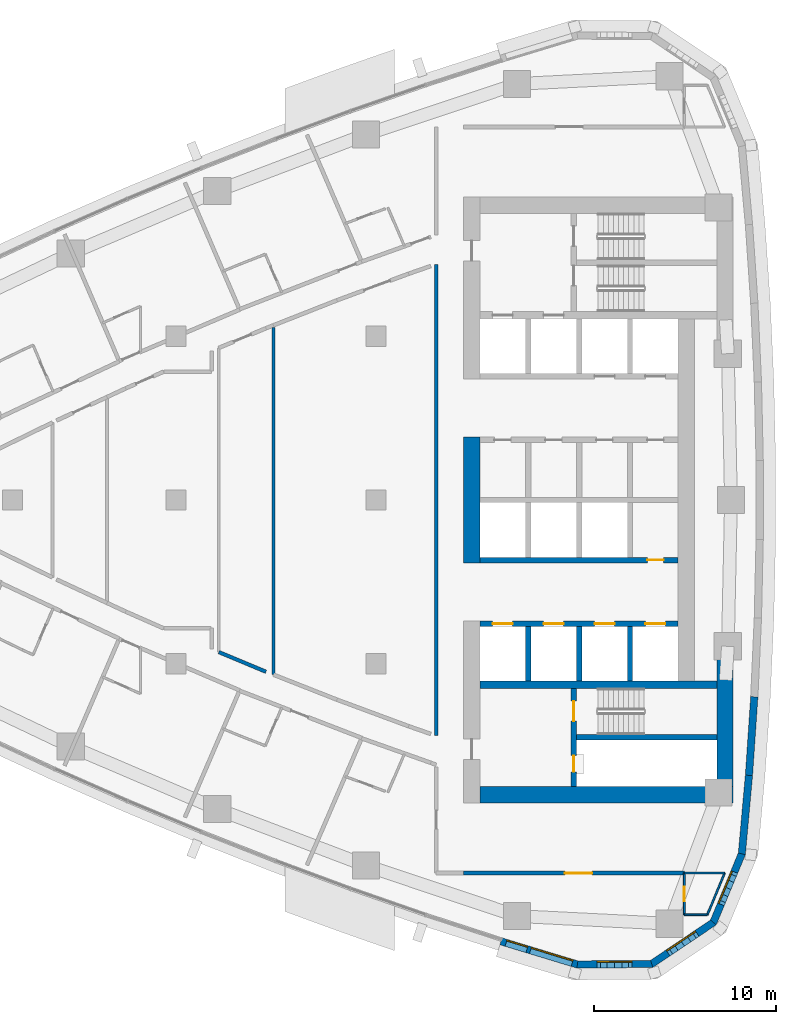
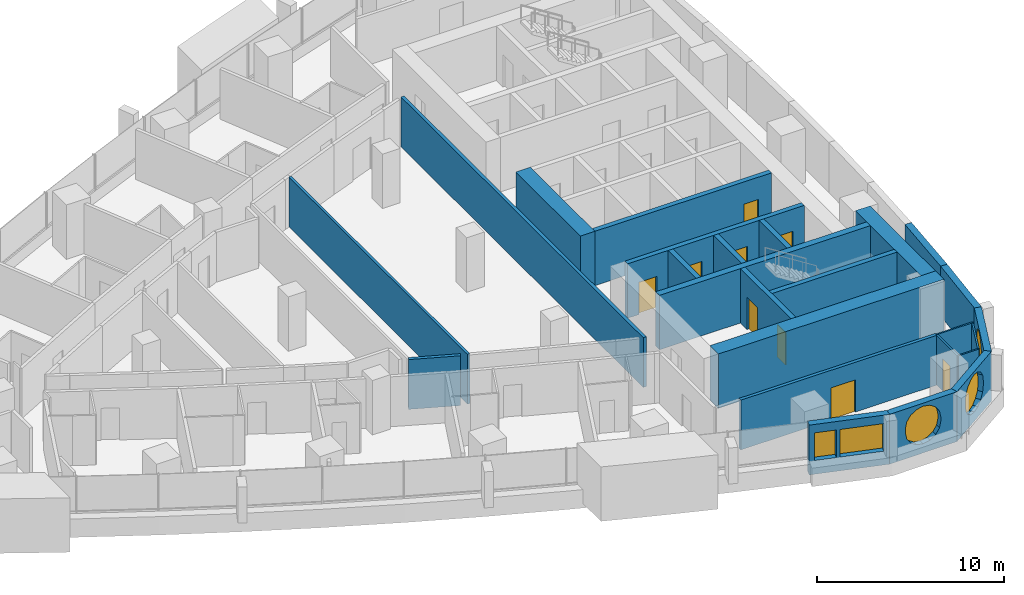
# One storey, part 10 of 17: 25 walls, 9 doors, 5 windows, 14 openings.
"""IFC4 building model written with IfcOpenShell, lengths in metres."""

from ifc_helpers import new_model, si_unit, direction, frame, frame_2d, origin, place, context, subcontext, project, spatial, polyline, rectangle, outline, extrude, material, layer, layer_set, type_object, element, fill, save


model = new_model("IFC4")

# Units and contexts
model_context = context("Model", 3, precision=1e-05, world=origin(), true_north=direction((0.0, 1.0)))
body_context = subcontext(model_context, "Body", "Model", "MODEL_VIEW")
ifc_project = project(units=[si_unit("LENGTHUNIT", "METRE"), si_unit("AREAUNIT", "SQUARE_METRE"), si_unit("VOLUMEUNIT", "CUBIC_METRE"), si_unit("PLANEANGLEUNIT", "RADIAN"), si_unit("MASSUNIT", "GRAM", prefix="KILO")], contexts=[model_context])

# Site, building, storey
site_placement = place(None, origin())
site = spatial("IfcSite", under=ifc_project, at=site_placement, CompositionType="ELEMENT")
building_placement = place(site_placement, origin())
building = spatial("IfcBuilding", under=site, at=building_placement, Name="Ostrand Prow Hotel Tower", CompositionType="ELEMENT")
storey_placement = place(building_placement, frame((0.0, 0.0, 140.85009765625)))
storey = spatial("IfcBuildingStorey", under=building, at=storey_placement, Name="L34", CompositionType="ELEMENT", Elevation=140.85009765625)

# Wall, opening, door
ifc_material_1 = material(Name="Concrete C70/85", Category="concrete")
ifc_layer_1 = layer(ifc_material_1, 0.300048828125)
ifc_layer_set_1 = layer_set([ifc_layer_1], Name="Concrete C70/85")
wall_type_1 = type_object("IfcWallType", Name="Core wall 300 C70/85", PredefinedType="SHEAR", material=ifc_layer_set_1)
wall_1_placement = place(storey_placement, frame((50.699951171875, -3.300048828125, 0.0), z_axis=(0.0, 0.0, 1.0), x_axis=(1.0, 0.0, 0.0)))
wall_1 = element("IfcWall", 1, at=wall_1_placement, inside=storey, type_object=wall_type_1, Name="Core wall PW-L1-S", PredefinedType="SHEAR", context=body_context, shape_type="SweptSolid", body=[
    extrude(rectangle(XDim=10.900146484375, YDim=0.300048828125, at=frame_2d((5.4501953125, 0.0))), origin(), (0.0, 0.0, 1.0), 3.5498046875),
])
opening_1_placement = place(wall_1_placement, frame((9.199951171875, 0.0, 0.0)))
opening_1 = element("IfcOpeningElement", 2, at=opening_1_placement, cuts=wall_1, Name="Opening FD2", PredefinedType="OPENING", context=body_context, shape_type="SweptSolid", body=[
    extrude(rectangle(XDim=0.89990234375, YDim=2.10009765625, at=frame_2d((0.449951171875, 1.050048828125))), frame((0.0, 0.159912109375, 0.0), z_axis=(0.0, -1.0, 0.0), x_axis=(1.0, 0.0, 0.0)), (0.0, 0.0, 1.0), 0.320068359375),
])
ifc_material_2 = material(Name="Steel fire door", Category="steel")
door_type_1 = type_object("IfcDoorType", Name="Fire door 900 EI120", OperationType="SINGLE_SWING_LEFT", PredefinedType="DOOR", material=ifc_material_2)
door_1_placement = place(opening_1_placement, origin())
door_1 = element("IfcDoor", 3, at=door_1_placement, inside=storey, type_object=door_type_1, Name="DOOR", OperationType="SINGLE_SWING_LEFT", OverallHeight=2.10009765625, OverallWidth=0.89990234375, PredefinedType="DOOR", context=body_context, shape_type="SweptSolid", body=[
    extrude(rectangle(XDim=0.89990234375, YDim=2.10009765625, at=frame_2d((0.449951171875, 1.050048828125))), frame((0.0, 0.02490234375, 0.0), z_axis=(0.0, -1.0, 0.0), x_axis=(1.0, 0.0, 0.0)), (0.0, 0.0, 1.0), 0.050048828125),
])
fill(opening_1, door_1)

# Wall, openings, doors
wall_2_placement = place(storey_placement, frame((50.699951171875, -6.800048828125, 0.0), z_axis=(0.0, 0.0, 1.0), x_axis=(1.0, 0.0, 0.0)))
wall_2 = element("IfcWall", 4, at=wall_2_placement, inside=storey, type_object=wall_type_1, Name="Core wall PW-L2-S", PredefinedType="SHEAR", context=body_context, shape_type="SweptSolid", body=[
    extrude(rectangle(XDim=10.900146484375, YDim=0.300048828125, at=frame_2d((5.4501953125, 0.0))), origin(), (0.0, 0.0, 1.0), 3.5498046875),
])
opening_2_placement = place(wall_2_placement, frame((0.699951171875, 0.0, 0.0)))
opening_2 = element("IfcOpeningElement", 5, at=opening_2_placement, cuts=wall_2, Name="Opening LD", PredefinedType="OPENING", context=body_context, shape_type="SweptSolid", body=[
    extrude(rectangle(XDim=1.10009765625, YDim=2.10009765625, at=frame_2d((0.550048828125, 1.050048828125))), frame((0.0, 0.159912109375, 0.0), z_axis=(0.0, -1.0, 0.0), x_axis=(1.0, 0.0, 0.0)), (0.0, 0.0, 1.0), 0.320068359375),
])
opening_3_placement = place(wall_2_placement, frame((3.5, 0.0, 0.0)))
opening_3 = element("IfcOpeningElement", 6, at=opening_3_placement, cuts=wall_2, Name="Opening LD", PredefinedType="OPENING", context=body_context, shape_type="SweptSolid", body=[
    extrude(rectangle(XDim=1.10009765625, YDim=2.10009765625, at=frame_2d((0.550048828125, 1.050048828125))), frame((0.0, 0.159912109375, 0.0), z_axis=(0.0, -1.0, 0.0), x_axis=(1.0, 0.0, 0.0)), (0.0, 0.0, 1.0), 0.320068359375),
])
opening_4_placement = place(wall_2_placement, frame((6.300048828125, 0.0, 0.0)))
opening_4 = element("IfcOpeningElement", 7, at=opening_4_placement, cuts=wall_2, Name="Opening LD", PredefinedType="OPENING", context=body_context, shape_type="SweptSolid", body=[
    extrude(rectangle(XDim=1.10009765625, YDim=2.10009765625, at=frame_2d((0.550048828125, 1.050048828125))), frame((0.0, 0.159912109375, 0.0), z_axis=(0.0, -1.0, 0.0), x_axis=(1.0, 0.0, 0.0)), (0.0, 0.0, 1.0), 0.320068359375),
])
opening_5_placement = place(wall_2_placement, frame((9.10009765625, 0.0, 0.0)))
opening_5 = element("IfcOpeningElement", 8, at=opening_5_placement, cuts=wall_2, Name="Opening LD", PredefinedType="OPENING", context=body_context, shape_type="SweptSolid", body=[
    extrude(rectangle(XDim=1.10009765625, YDim=2.10009765625, at=frame_2d((0.550048828125, 1.050048828125))), frame((0.0, 0.159912109375, 0.0), z_axis=(0.0, -1.0, 0.0), x_axis=(1.0, 0.0, 0.0)), (0.0, 0.0, 1.0), 0.320068359375),
])
ifc_material_3 = material(Name="Stainless steel door", Category="steel")
door_type_2 = type_object("IfcDoorType", Name="Lift landing door 1100", OperationType="DOUBLE_DOOR_SLIDING", PredefinedType="DOOR", material=ifc_material_3)
door_2_placement = place(opening_2_placement, origin())
door_2 = element("IfcDoor", 9, at=door_2_placement, inside=storey, type_object=door_type_2, Name="LIFT LANDING DOOR", OperationType="DOUBLE_DOOR_SLIDING", OverallHeight=2.10009765625, OverallWidth=1.10009765625, PredefinedType="DOOR", context=body_context, shape_type="SweptSolid", body=[
    extrude(rectangle(XDim=1.10009765625, YDim=2.10009765625, at=frame_2d((0.550048828125, 1.050048828125))), frame((0.0, 0.02490234375, 0.0), z_axis=(0.0, -1.0, 0.0), x_axis=(1.0, 0.0, 0.0)), (0.0, 0.0, 1.0), 0.050048828125),
])
fill(opening_2, door_2)
door_3_placement = place(opening_3_placement, origin())
door_3 = element("IfcDoor", 10, at=door_3_placement, inside=storey, type_object=door_type_2, Name="LIFT LANDING DOOR", OperationType="DOUBLE_DOOR_SLIDING", OverallHeight=2.10009765625, OverallWidth=1.10009765625, PredefinedType="DOOR", context=body_context, shape_type="SweptSolid", body=[
    extrude(rectangle(XDim=1.10009765625, YDim=2.10009765625, at=frame_2d((0.550048828125, 1.050048828125))), frame((0.0, 0.02490234375, 0.0), z_axis=(0.0, -1.0, 0.0), x_axis=(1.0, 0.0, 0.0)), (0.0, 0.0, 1.0), 0.050048828125),
])
fill(opening_3, door_3)
door_4_placement = place(opening_4_placement, origin())
door_4 = element("IfcDoor", 11, at=door_4_placement, inside=storey, type_object=door_type_2, Name="LIFT LANDING DOOR", OperationType="DOUBLE_DOOR_SLIDING", OverallHeight=2.10009765625, OverallWidth=1.10009765625, PredefinedType="DOOR", context=body_context, shape_type="SweptSolid", body=[
    extrude(rectangle(XDim=1.10009765625, YDim=2.10009765625, at=frame_2d((0.550048828125, 1.050048828125))), frame((0.0, 0.02490234375, 0.0), z_axis=(0.0, -1.0, 0.0), x_axis=(1.0, 0.0, 0.0)), (0.0, 0.0, 1.0), 0.050048828125),
])
fill(opening_4, door_4)
door_5_placement = place(opening_5_placement, origin())
door_5 = element("IfcDoor", 12, at=door_5_placement, inside=storey, type_object=door_type_2, Name="LIFT LANDING DOOR", OperationType="DOUBLE_DOOR_SLIDING", OverallHeight=2.10009765625, OverallWidth=1.10009765625, PredefinedType="DOOR", context=body_context, shape_type="SweptSolid", body=[
    extrude(rectangle(XDim=1.10009765625, YDim=2.10009765625, at=frame_2d((0.550048828125, 1.050048828125))), frame((0.0, 0.02490234375, 0.0), z_axis=(0.0, -1.0, 0.0), x_axis=(1.0, 0.0, 0.0)), (0.0, 0.0, 1.0), 0.050048828125),
])
fill(opening_5, door_5)

# Walls
for number, where, z_axis, x_axis, name in (
    (13, (53.35009765625, -9.949951171875, 0.0), (0.0, 0.0, 1.0), (0.0, 1.0, 0.0), "Core wall PW-R1-SA"),
    (14, (56.14990234375, -9.949951171875, 0.0), (0.0, 0.0, 1.0), (0.0, 1.0, 0.0), "Core wall PW-R2-SA"),
    (15, (58.949951171875, -9.949951171875, 0.0), (0.0, 0.0, 1.0), (0.0, 1.0, 0.0), "Core wall PW-R3-SA"),
):
    element("IfcWall", number, at=place(storey_placement, frame(where, z_axis=z_axis, x_axis=x_axis)), inside=storey, type_object=wall_type_1, Name=name, PredefinedType="SHEAR", context=body_context, shape_type="SweptSolid", body=[
        extrude(rectangle(XDim=3.0, YDim=0.300048828125, at=frame_2d((1.5, 0.0))), origin(), (0.0, 0.0, 1.0), 3.5498046875),
    ])

# Wall, openings, doors
wall_3_placement = place(storey_placement, frame((55.85009765625, -15.75, 0.0), z_axis=(0.0, 0.0, 1.0), x_axis=(0.0, 1.0, 0.0)))
wall_3 = element("IfcWall", 16, at=wall_3_placement, inside=storey, type_object=wall_type_1, Name="Core wall PW-VS", PredefinedType="SHEAR", context=body_context, shape_type="SweptSolid", body=[
    extrude(rectangle(XDim=5.39990234375, YDim=0.300048828125, at=frame_2d((2.699951171875, 0.0))), origin(), (0.0, 0.0, 1.0), 3.5498046875),
])
opening_6_placement = place(wall_3_placement, frame((3.60009765625, 0.0, 0.0)))
opening_6 = element("IfcOpeningElement", 17, at=opening_6_placement, cuts=wall_3, Name="Opening FD1", PredefinedType="OPENING", context=body_context, shape_type="SweptSolid", body=[
    extrude(rectangle(XDim=1.10009765625, YDim=2.10009765625, at=frame_2d((0.550048828125, 1.050048828125))), frame((0.0, 0.159912109375, 0.0), z_axis=(0.0, -1.0, 0.0), x_axis=(1.0, 0.0, 0.0)), (0.0, 0.0, 1.0), 0.320068359375),
])
opening_7_placement = place(wall_3_placement, frame((0.800048828125, 0.0, 0.0)))
opening_7 = element("IfcOpeningElement", 18, at=opening_7_placement, cuts=wall_3, Name="Opening FD2", PredefinedType="OPENING", context=body_context, shape_type="SweptSolid", body=[
    extrude(rectangle(XDim=0.89990234375, YDim=2.10009765625, at=frame_2d((0.449951171875, 1.050048828125))), frame((0.0, 0.159912109375, 0.0), z_axis=(0.0, -1.0, 0.0), x_axis=(1.0, 0.0, 0.0)), (0.0, 0.0, 1.0), 0.320068359375),
])
ifc_material_4 = material(Name="Steel fire door", Category="steel")
door_type_3 = type_object("IfcDoorType", Name="Fire door 1100 EI120", OperationType="SINGLE_SWING_RIGHT", PredefinedType="DOOR", material=ifc_material_4)
door_6_placement = place(opening_6_placement, origin())
door_6 = element("IfcDoor", 19, at=door_6_placement, inside=storey, type_object=door_type_3, Name="FIRE DOOR", OperationType="SINGLE_SWING_RIGHT", OverallHeight=2.10009765625, OverallWidth=1.10009765625, PredefinedType="DOOR", context=body_context, shape_type="SweptSolid", body=[
    extrude(rectangle(XDim=1.10009765625, YDim=2.10009765625, at=frame_2d((0.550048828125, 1.050048828125))), frame((0.0, 0.02490234375, 0.0), z_axis=(0.0, -1.0, 0.0), x_axis=(1.0, 0.0, 0.0)), (0.0, 0.0, 1.0), 0.050048828125),
])
fill(opening_6, door_6)
door_7_placement = place(opening_7_placement, origin())
door_7 = element("IfcDoor", 20, at=door_7_placement, inside=storey, type_object=door_type_1, Name="FIRE DOOR", OperationType="SINGLE_SWING_LEFT", OverallHeight=2.10009765625, OverallWidth=0.89990234375, PredefinedType="DOOR", context=body_context, shape_type="SweptSolid", body=[
    extrude(rectangle(XDim=0.89990234375, YDim=2.10009765625, at=frame_2d((0.449951171875, 1.050048828125))), frame((0.0, 0.02490234375, 0.0), z_axis=(0.0, -1.0, 0.0), x_axis=(1.0, 0.0, 0.0)), (0.0, 0.0, 1.0), 0.050048828125),
])
fill(opening_7, door_7)

# Walls
wall_4_placement = place(storey_placement, frame((56.0, -13.050048828125, 0.0), z_axis=(0.0, 0.0, 1.0), x_axis=(1.0, 0.0, 0.0)))
element("IfcWall", 21, at=wall_4_placement, inside=storey, type_object=wall_type_1, Name="Core wall PW-ST2R", PredefinedType="SHEAR", context=body_context, shape_type="SweptSolid", body=[
    extrude(rectangle(XDim=7.719970703125, YDim=0.300048828125, at=frame_2d((3.85986328125, 0.0))), origin(), (0.0, 0.0, 1.0), 3.5498046875),
])
ifc_material_5 = material(Name="Concrete C70/85", Category="concrete")
ifc_layer_2 = layer(ifc_material_5, 0.39990234375)
ifc_layer_set_2 = layer_set([ifc_layer_2], Name="Concrete C70/85")
wall_type_2 = type_object("IfcWallType", Name="Core wall 400 C70/85", PredefinedType="SHEAR", material=ifc_layer_set_2)
wall_5_placement = place(storey_placement, frame((50.699951171875, -10.14990234375, 0.0), z_axis=(0.0, 0.0, 1.0), x_axis=(1.0, 0.0, 0.0)))
element("IfcWall", 22, at=wall_5_placement, inside=storey, type_object=wall_type_2, Name="Core wall PW-BS", PredefinedType="SHEAR", context=body_context, shape_type="SweptSolid", body=[
    extrude(rectangle(XDim=13.02001953125, YDim=0.39990234375, at=frame_2d((6.510009765625, 0.0))), origin(), (0.0, 0.0, 1.0), 3.5498046875),
])
ifc_material_6 = material(Name="Concrete C70/85", Category="concrete")
ifc_layer_3 = layer(ifc_material_6, 0.89990234375)
ifc_layer_set_3 = layer_set([ifc_layer_3], Name="Concrete C70/85")
wall_type_3 = type_object("IfcWallType", Name="Core wall 900 C70/85", PredefinedType="SHEAR", material=ifc_layer_set_3)
wall_6_placement = place(storey_placement, frame((50.25, -3.449951171875, 0.0), z_axis=(0.0, 0.0, 1.0), x_axis=(0.0, 1.0, 0.0)))
element("IfcWall", 23, at=wall_6_placement, inside=storey, type_object=wall_type_3, Name="Core wall CW-W-C", PredefinedType="SHEAR", context=body_context, shape_type="SweptSolid", body=[
    extrude(rectangle(XDim=6.89990234375, YDim=0.89990234375, at=frame_2d((3.449951171875, 0.0))), origin(), (0.0, 0.0, 1.0), 3.5498046875),
])
wall_7_placement = place(storey_placement, frame((50.699951171875, -16.199951171875, 0.0), z_axis=(0.0, 0.0, 1.0), x_axis=(1.0, 0.0, 0.0)))
element("IfcWall", 24, at=wall_7_placement, inside=storey, type_object=wall_type_3, Name="Core wall CW-S", PredefinedType="SHEAR", context=body_context, shape_type="SweptSolid", body=[
    extrude(rectangle(XDim=13.920166015625, YDim=0.89990234375, at=frame_2d((6.9599609375, 0.0))), origin(), (0.0, 0.0, 1.0), 3.5498046875),
])
wall_8_placement = place(storey_placement, frame((64.169921875, -15.75, 0.0), z_axis=(0.0, 0.0, 1.0), x_axis=(0.0, 1.0, 0.0)))
element("IfcWall", 25, at=wall_8_placement, inside=storey, type_object=wall_type_3, Name="Core wall CW-E-S", PredefinedType="SHEAR", context=body_context, shape_type="SweptSolid", body=[
    extrude(rectangle(XDim=7.00537109375, YDim=0.89990234375, at=frame_2d((3.502685546875, 0.0))), origin(), (0.0, 0.0, 1.0), 3.5498046875),
])

# Wall, opening, door
ifc_material_7 = material(Name="Plasterboard partition")
ifc_layer_4 = layer(ifc_material_7, 0.10009765625)
ifc_layer_set_4 = layer_set([ifc_layer_4], Name="Plasterboard partition")
wall_type_4 = type_object("IfcWallType", Name="Partition 100 bathroom wall", PredefinedType="PARTITIONING", material=ifc_layer_set_4)
wall_9_placement = place(storey_placement, frame((61.9375, -22.800048828125, 0.0), z_axis=(0.0, 0.0, 1.0), x_axis=(0.0, 1.0, 0.0)))
wall_9 = element("IfcWall", 26, at=wall_9_placement, inside=storey, type_object=wall_type_4, Name="BATHROOM WALL", PredefinedType="PARTITIONING", context=body_context, shape_type="SweptSolid", body=[
    extrude(rectangle(XDim=2.300048828125, YDim=0.10009765625, at=frame_2d((1.14990234375, 0.0))), origin(), (0.0, 0.0, 1.0), 3.25),
])
opening_8_placement = place(wall_9_placement, frame((0.75, 0.0, 0.0)))
opening_8 = element("IfcOpeningElement", 27, at=opening_8_placement, cuts=wall_9, Name="Opening D2", PredefinedType="OPENING", context=body_context, shape_type="SweptSolid", body=[
    extrude(rectangle(XDim=0.800048828125, YDim=2.10009765625, at=frame_2d((0.39990234375, 1.050048828125))), frame((0.0, 0.06005859375, 0.0), z_axis=(0.0, -1.0, 0.0), x_axis=(1.0, 0.0, 0.0)), (0.0, 0.0, 1.0), 0.1201171875),
])
ifc_material_8 = material(Name="Timber door leaf", Category="wood")
door_type_4 = type_object("IfcDoorType", Name="Bathroom door 800", OperationType="SINGLE_SWING_LEFT", PredefinedType="DOOR", material=ifc_material_8)
door_8_placement = place(opening_8_placement, origin())
door_8 = element("IfcDoor", 28, at=door_8_placement, inside=storey, type_object=door_type_4, Name="DOOR", OperationType="SINGLE_SWING_LEFT", OverallHeight=2.10009765625, OverallWidth=0.800048828125, PredefinedType="DOOR", context=body_context, shape_type="SweptSolid", body=[
    extrude(rectangle(XDim=0.800048828125, YDim=2.10009765625, at=frame_2d((0.39990234375, 1.050048828125))), frame((0.0, 0.02490234375, 0.0), z_axis=(0.0, -1.0, 0.0), x_axis=(1.0, 0.0, 0.0)), (0.0, 0.0, 1.0), 0.050048828125),
])
fill(opening_8, door_8)

# Walls
wall_10_placement = place(storey_placement, frame((63.1982421875, -22.800048828125, 0.0), z_axis=(0.0, 0.0, 1.0), x_axis=(-1.0, 0.0, 0.0)))
element("IfcWall", 29, at=wall_10_placement, inside=storey, type_object=wall_type_4, Name="BATHROOM WALL", PredefinedType="PARTITIONING", context=body_context, shape_type="SweptSolid", body=[
    extrude(rectangle(XDim=1.2607421875, YDim=0.10009765625, at=frame_2d((0.63037109375, 0.0))), origin(), (0.0, 0.0, 1.0), 3.25),
])
wall_11_placement = place(storey_placement, frame((61.9375, -20.5048828125, 0.0), z_axis=(0.0, 0.0, 1.0), x_axis=(1.0, 0.0, 0.0)))
element("IfcWall", 30, at=wall_11_placement, inside=storey, type_object=wall_type_4, Name="BATHROOM WALL", PredefinedType="PARTITIONING", context=body_context, shape_type="SweptSolid", body=[
    extrude(rectangle(XDim=2.21484375, YDim=0.10009765625, at=frame_2d((1.107421875, 0.0))), origin(), (0.0, 0.0, 1.0), 3.25),
])
wall_12_placement = place(storey_placement, frame((64.15234375, -20.5048828125, 0.0), z_axis=(0.0, 0.0, 1.0), x_axis=(-0.383855043906, -0.923393364319, 0.0)))
element("IfcWall", 31, at=wall_12_placement, inside=storey, type_object=wall_type_4, Name="BATHROOM WALL", PredefinedType="PARTITIONING", context=body_context, shape_type="SweptSolid", body=[
    extrude(rectangle(XDim=2.485595703125, YDim=0.10009765625, at=frame_2d((1.24267578125, 0.0))), origin(), (0.0, 0.0, 1.0), 3.25),
])
ifc_material_9 = material(Name="Plasterboard partition")
ifc_layer_5 = layer(ifc_material_9, 0.14990234375)
ifc_layer_set_5 = layer_set([ifc_layer_5], Name="Plasterboard partition")
wall_type_5 = type_object("IfcWallType", Name="Partition 150 room partition", PredefinedType="PARTITIONING", material=ifc_layer_set_5)
wall_13_placement = place(storey_placement, frame((39.35302734375, -9.60205078125, 0.0), z_axis=(0.0, 0.0, 1.0), x_axis=(0.0, 1.0, 0.0)))
element("IfcWall", 32, at=wall_13_placement, inside=storey, type_object=wall_type_5, Name="ROOM PARTITION", PredefinedType="PARTITIONING", context=body_context, shape_type="SweptSolid", body=[
    extrude(rectangle(XDim=19.0966796875, YDim=0.14990234375, at=frame_2d((9.54833984375, 0.0))), origin(), (0.0, 0.0, 1.0), 3.25),
])
ifc_material_10 = material(Name="Plasterboard partition")
ifc_layer_6 = layer(ifc_material_10, 0.199951171875)
ifc_layer_set_6 = layer_set([ifc_layer_6], Name="Plasterboard partition")
wall_type_6 = type_object("IfcWallType", Name="Partition 200 corridor wall", PredefinedType="PARTITIONING", material=ifc_layer_set_6)
wall_14_placement = place(storey_placement, frame((38.943115234375, -9.44091796875, 0.0), z_axis=(0.0, 0.0, 1.0), x_axis=(-0.922997109092, 0.384806882224, 0.0)))
element("IfcWall", 33, at=wall_14_placement, inside=storey, type_object=wall_type_6, Name="CORRIDOR WALL", PredefinedType="PARTITIONING", context=body_context, shape_type="SweptSolid", body=[
    extrude(rectangle(XDim=2.80615234375, YDim=0.199951171875, at=frame_2d((1.403076171875, 0.0))), origin(), (0.0, 0.0, 1.0), 3.25),
])

# Wall, opening, door
wall_15_placement = place(storey_placement, frame((49.800048828125, -20.5048828125, 0.0), z_axis=(0.0, 0.0, 1.0), x_axis=(1.0, 0.0, 0.0)))
wall_15 = element("IfcWall", 34, at=wall_15_placement, inside=storey, type_object=wall_type_6, Name="CORRIDOR WALL", PredefinedType="PARTITIONING", context=body_context, shape_type="SweptSolid", body=[
    extrude(rectangle(XDim=12.132568359375, YDim=0.199951171875, at=frame_2d((6.06640625, 0.0))), origin(), (0.0, 0.0, 1.0), 3.25),
])
opening_9_placement = place(wall_15_placement, frame((5.56640625, 0.0, 0.0)))
opening_9 = element("IfcOpeningElement", 35, at=opening_9_placement, cuts=wall_15, Name="Opening D15", PredefinedType="OPENING", context=body_context, shape_type="SweptSolid", body=[
    extrude(rectangle(XDim=1.5, YDim=2.10009765625, at=frame_2d((0.75, 1.050048828125))), frame((0.0, 0.10986328125, 0.0), z_axis=(0.0, -1.0, 0.0), x_axis=(1.0, 0.0, 0.0)), (0.0, 0.0, 1.0), 0.219970703125),
])
ifc_material_11 = material(Name="Timber door leaf", Category="wood")
door_type_5 = type_object("IfcDoorType", Name="Double door 1500", OperationType="DOUBLE_DOOR_SINGLE_SWING", PredefinedType="DOOR", material=ifc_material_11)
door_9_placement = place(opening_9_placement, origin())
door_9 = element("IfcDoor", 36, at=door_9_placement, inside=storey, type_object=door_type_5, Name="DOOR", OperationType="DOUBLE_DOOR_SINGLE_SWING", OverallHeight=2.10009765625, OverallWidth=1.5, PredefinedType="DOOR", context=body_context, shape_type="SweptSolid", body=[
    extrude(rectangle(XDim=1.5, YDim=2.10009765625, at=frame_2d((0.75, 1.050048828125))), frame((0.0, 0.02490234375, 0.0), z_axis=(0.0, -1.0, 0.0), x_axis=(1.0, 0.0, 0.0)), (0.0, 0.0, 1.0), 0.050048828125),
])
fill(opening_9, door_9)

# Wall
wall_16_placement = place(storey_placement, frame((48.294921875, 12.955078125, 0.0), z_axis=(0.0, 0.0, 1.0), x_axis=(0.0, -1.0, 0.0)))
element("IfcWall", 37, at=wall_16_placement, inside=storey, type_object=wall_type_6, Name="CORRIDOR WALL", PredefinedType="PARTITIONING", context=body_context, shape_type="SweptSolid", body=[
    extrude(rectangle(XDim=25.91015625, YDim=0.199951171875, at=frame_2d((12.955078125, 0.0))), origin(), (0.0, 0.0, 1.0), 3.25),
])

# Wall, openings, windows
ifc_material_12 = material(Name="Precast concrete C40/50", Category="concrete")
ifc_layer_7 = layer(ifc_material_12, 0.39990234375)
ifc_layer_set_7 = layer_set([ifc_layer_7], Name="Precast concrete C40/50")
wall_type_7 = type_object("IfcWallType", Name="Stone-faced precast wall 400 mm", PredefinedType="NOTDEFINED", material=ifc_layer_set_7)
wall_17_placement = place(storey_placement, frame((51.85888671875, -24.257080078125, 0.0), z_axis=(0.0, 0.0, 1.0), x_axis=(0.956964488344, -0.290205044837, 0.0)))
wall_17 = element("IfcWall", 38, at=wall_17_placement, inside=storey, type_object=wall_type_7, Name="Stone-faced wall back 1", PredefinedType="NOTDEFINED", context=body_context, shape_type="SweptSolid", body=[
    extrude(outline(polyline([(0.0, -0.199951171875), (4.41845703125, -0.199951171875), (4.357421875, 0.199951171875), (0.0, 0.199951171875), (0.0, -0.199951171875)])), origin(), (0.0, 0.0, 1.0), 3.25),
])
opening_10_placement = place(wall_17_placement, frame((0.2939453125, 0.0, 0.89990234375)))
opening_10 = element("IfcOpeningElement", 39, at=opening_10_placement, cuts=wall_17, Name="Opening WS4", PredefinedType="OPENING", context=body_context, shape_type="SweptSolid", body=[
    extrude(rectangle(XDim=1.199951171875, YDim=1.800048828125, at=frame_2d((0.60009765625, 0.89990234375))), frame((0.0, 0.2099609375, 0.0), z_axis=(0.0, -1.0, 0.0), x_axis=(1.0, 0.0, 0.0)), (0.0, 0.0, 1.0), 0.419921875),
])
opening_11_placement = place(wall_17_placement, frame((1.694091796875, 0.0, 0.89990234375)))
opening_11 = element("IfcOpeningElement", 40, at=opening_11_placement, cuts=wall_17, Name="Opening WS5-24", PredefinedType="OPENING", context=body_context, shape_type="SweptSolid", body=[
    extrude(rectangle(XDim=2.39990234375, YDim=1.800048828125, at=frame_2d((1.199951171875, 0.89990234375))), frame((0.0, 0.2099609375, 0.0), z_axis=(0.0, -1.0, 0.0), x_axis=(1.0, 0.0, 0.0)), (0.0, 0.0, 1.0), 0.419921875),
])
ifc_material_13 = material(Name="Insulated glass in bronze frame", Category="glass")
window_type_1 = type_object("IfcWindowType", Name="Fixed strip window 2400x1800", PartitioningType="SINGLE_PANEL", PredefinedType="WINDOW", material=ifc_material_13)
window_1_placement = place(opening_11_placement, origin())
window_1 = element("IfcWindow", 41, at=window_1_placement, inside=storey, type_object=window_type_1, Name="Window back 1.2", OverallHeight=1.800048828125, OverallWidth=2.39990234375, PartitioningType="SINGLE_PANEL", PredefinedType="WINDOW", context=body_context, shape_type="SweptSolid", body=[
    extrude(rectangle(XDim=2.39990234375, YDim=1.800048828125, at=frame_2d((1.199951171875, 0.89990234375))), frame((0.0, 0.169921875, 0.0), z_axis=(0.0, -1.0, 0.0), x_axis=(1.0, 0.0, 0.0)), (0.0, 0.0, 1.0), 0.06005859375),
])
fill(opening_11, window_1)
ifc_material_14 = material(Name="Insulated glass in bronze frame", Category="glass")
window_type_2 = type_object("IfcWindowType", Name="Operable strip panel 1200x1800", PartitioningType="SINGLE_PANEL", PredefinedType="WINDOW", material=ifc_material_14)
window_2_placement = place(opening_10_placement, origin())
window_2 = element("IfcWindow", 42, at=window_2_placement, inside=storey, type_object=window_type_2, Name="Window back 1.1", OverallHeight=1.800048828125, OverallWidth=1.199951171875, PartitioningType="SINGLE_PANEL", PredefinedType="WINDOW", context=body_context, shape_type="SweptSolid", body=[
    extrude(rectangle(XDim=1.199951171875, YDim=1.800048828125, at=frame_2d((0.60009765625, 0.89990234375))), frame((0.0, 0.169921875, 0.0), z_axis=(0.0, -1.0, 0.0), x_axis=(1.0, 0.0, 0.0)), (0.0, 0.0, 1.0), 0.06005859375),
])
fill(opening_10, window_2)

# Wall, opening, window
wall_18_placement = place(storey_placement, frame((56.05810546875, -25.530517578125, 0.0), z_axis=(0.0, 0.0, 1.0), x_axis=(0.99996933771, 0.007830941131, 0.0)))
wall_18 = element("IfcWall", 43, at=wall_18_placement, inside=storey, type_object=wall_type_7, Name="Stone-faced wall back 2", PredefinedType="NOTDEFINED", context=body_context, shape_type="SweptSolid", body=[
    extrude(outline(polyline([(-0.030517578125, -0.199951171875), (4.14453125, -0.199951171875), (4.02392578125, 0.199951171875), (0.030517578125, 0.199951171875), (-0.030517578125, -0.199951171875)])), origin(), (0.0, 0.0, 1.0), 3.25),
])
opening_12_placement = place(wall_18_placement, frame((0.94189453125, 0.0, 0.60009765625)))
opening_12 = element("IfcOpeningElement", 44, at=opening_12_placement, cuts=wall_18, Name="Opening WP1", PredefinedType="OPENING", context=body_context, shape_type="SweptSolid", body=[
    extrude(outline(polyline([(0.0, 1.35009765625), (0.083740234375, 1.77099609375), (0.322265625, 2.127685546875), (0.678955078125, 2.3662109375), (1.10009765625, 2.449951171875), (1.52099609375, 2.3662109375), (1.877685546875, 2.127685546875), (2.1162109375, 1.77099609375), (2.199951171875, 1.35009765625), (2.199951171875, 1.10009765625), (2.1162109375, 0.678955078125), (1.877685546875, 0.322265625), (1.52099609375, 0.083740234375), (1.10009765625, 0.0), (0.678955078125, 0.083740234375), (0.322265625, 0.322265625), (0.083740234375, 0.678955078125), (0.0, 1.099853515625), (0.0, 1.35009765625)])), frame((0.0, 0.2099609375, 0.0), z_axis=(0.0, -1.0, 0.0), x_axis=(1.0, 0.0, 0.0)), (0.0, 0.0, 1.0), 0.419921875),
])
ifc_material_15 = material(Name="Insulated glass in bronze frame", Category="glass")
window_type_3 = type_object("IfcWindowType", Name="Round-ended prow window 2200x2450", PartitioningType="SINGLE_PANEL", PredefinedType="WINDOW", material=ifc_material_15)
window_3_placement = place(opening_12_placement, origin())
window_3 = element("IfcWindow", 45, at=window_3_placement, inside=storey, type_object=window_type_3, Name="Window back 2.1", OverallHeight=2.449951171875, OverallWidth=2.199951171875, PartitioningType="SINGLE_PANEL", PredefinedType="WINDOW", context=body_context, shape_type="SweptSolid", body=[
    extrude(outline(polyline([(0.0, 1.35009765625), (0.083740234375, 1.77099609375), (0.322265625, 2.127685546875), (0.678955078125, 2.3662109375), (1.10009765625, 2.449951171875), (1.52099609375, 2.3662109375), (1.877685546875, 2.127685546875), (2.1162109375, 1.77099609375), (2.199951171875, 1.35009765625), (2.199951171875, 1.10009765625), (2.1162109375, 0.678955078125), (1.877685546875, 0.322265625), (1.52099609375, 0.083740234375), (1.10009765625, 0.0), (0.678955078125, 0.083740234375), (0.322265625, 0.322265625), (0.083740234375, 0.678955078125), (0.0, 1.099853515625), (0.0, 1.35009765625)])), frame((0.0, 0.169921875, 0.0), z_axis=(0.0, -1.0, 0.0), x_axis=(1.0, 0.0, 0.0)), (0.0, 0.0, 1.0), 0.06005859375),
])
fill(opening_12, window_3)

wall_19_placement = place(storey_placement, frame((60.14208984375, -25.49853515625, 0.0), z_axis=(0.0, 0.0, 1.0), x_axis=(0.829642062482, 0.558295663749, 0.0)))
wall_19 = element("IfcWall", 46, at=wall_19_placement, inside=storey, type_object=wall_type_7, Name="Stone-faced wall back 3", PredefinedType="NOTDEFINED", context=body_context, shape_type="SweptSolid", body=[
    extrude(outline(polyline([(-0.060302734375, -0.199951171875), (4.144287109375, -0.199951171875), (4.023681640625, 0.199951171875), (0.060302734375, 0.199951171875), (-0.060302734375, -0.199951171875)])), origin(), (0.0, 0.0, 1.0), 3.25),
])
opening_13_placement = place(wall_19_placement, frame((0.94189453125, 0.0, 0.60009765625)))
opening_13 = element("IfcOpeningElement", 47, at=opening_13_placement, cuts=wall_19, Name="Opening WP1", PredefinedType="OPENING", context=body_context, shape_type="SweptSolid", body=[
    extrude(outline(polyline([(0.0, 1.35009765625), (0.083740234375, 1.77099609375), (0.322265625, 2.127685546875), (0.678955078125, 2.3662109375), (1.10009765625, 2.449951171875), (1.52099609375, 2.3662109375), (1.877685546875, 2.127685546875), (2.1162109375, 1.77099609375), (2.199951171875, 1.35009765625), (2.199951171875, 1.10009765625), (2.1162109375, 0.678955078125), (1.877685546875, 0.322265625), (1.52099609375, 0.083740234375), (1.10009765625, 0.0), (0.678955078125, 0.083740234375), (0.322265625, 0.322265625), (0.083740234375, 0.678955078125), (0.0, 1.099853515625), (0.0, 1.35009765625)])), frame((0.0, 0.2099609375, 0.0), z_axis=(0.0, -1.0, 0.0), x_axis=(1.0, 0.0, 0.0)), (0.0, 0.0, 1.0), 0.419921875),
])
window_4_placement = place(opening_13_placement, origin())
window_4 = element("IfcWindow", 48, at=window_4_placement, inside=storey, type_object=window_type_3, Name="Window back 3.1", OverallHeight=2.449951171875, OverallWidth=2.199951171875, PartitioningType="SINGLE_PANEL", PredefinedType="WINDOW", context=body_context, shape_type="SweptSolid", body=[
    extrude(outline(polyline([(0.0, 1.35009765625), (0.083740234375, 1.77099609375), (0.322265625, 2.127685546875), (0.678955078125, 2.3662109375), (1.10009765625, 2.449951171875), (1.52099609375, 2.3662109375), (1.877685546875, 2.127685546875), (2.1162109375, 1.77099609375), (2.199951171875, 1.35009765625), (2.199951171875, 1.10009765625), (2.1162109375, 0.678955078125), (1.877685546875, 0.322265625), (1.52099609375, 0.083740234375), (1.10009765625, 0.0), (0.678955078125, 0.083740234375), (0.322265625, 0.322265625), (0.083740234375, 0.678955078125), (0.0, 1.099853515625), (0.0, 1.35009765625)])), frame((0.0, 0.169921875, 0.0), z_axis=(0.0, -1.0, 0.0), x_axis=(1.0, 0.0, 0.0)), (0.0, 0.0, 1.0), 0.06005859375),
])
fill(opening_13, window_4)

wall_20_placement = place(storey_placement, frame((63.5302734375, -23.218505859375, 0.0), z_axis=(0.0, 0.0, 1.0), x_axis=(0.383817293519, 0.923409056267, 0.0)))
wall_20 = element("IfcWall", 49, at=wall_20_placement, inside=storey, type_object=wall_type_7, Name="Stone-faced wall back 4", PredefinedType="NOTDEFINED", context=body_context, shape_type="SweptSolid", body=[
    extrude(outline(polyline([(-0.060302734375, -0.199951171875), (4.11474609375, -0.199951171875), (4.0537109375, 0.199951171875), (0.060302734375, 0.199951171875), (-0.060302734375, -0.199951171875)])), origin(), (0.0, 0.0, 1.0), 3.25),
])
opening_14_placement = place(wall_20_placement, frame((0.94189453125, 0.0, 0.60009765625)))
opening_14 = element("IfcOpeningElement", 50, at=opening_14_placement, cuts=wall_20, Name="Opening WP1", PredefinedType="OPENING", context=body_context, shape_type="SweptSolid", body=[
    extrude(outline(polyline([(0.0, 1.35009765625), (0.083740234375, 1.77099609375), (0.322265625, 2.127685546875), (0.678955078125, 2.3662109375), (1.10009765625, 2.449951171875), (1.52099609375, 2.3662109375), (1.877685546875, 2.127685546875), (2.1162109375, 1.77099609375), (2.199951171875, 1.35009765625), (2.199951171875, 1.10009765625), (2.1162109375, 0.678955078125), (1.877685546875, 0.322265625), (1.52099609375, 0.083740234375), (1.10009765625, 0.0), (0.678955078125, 0.083740234375), (0.322265625, 0.322265625), (0.083740234375, 0.678955078125), (0.0, 1.099853515625), (0.0, 1.35009765625)])), frame((0.0, 0.2099609375, 0.0), z_axis=(0.0, -1.0, 0.0), x_axis=(1.0, 0.0, 0.0)), (0.0, 0.0, 1.0), 0.419921875),
])
window_5_placement = place(opening_14_placement, origin())
window_5 = element("IfcWindow", 51, at=window_5_placement, inside=storey, type_object=window_type_3, Name="Window back 4.1", OverallHeight=2.449951171875, OverallWidth=2.199951171875, PartitioningType="SINGLE_PANEL", PredefinedType="WINDOW", context=body_context, shape_type="SweptSolid", body=[
    extrude(outline(polyline([(0.0, 1.35009765625), (0.083740234375, 1.77099609375), (0.322265625, 2.127685546875), (0.678955078125, 2.3662109375), (1.10009765625, 2.449951171875), (1.52099609375, 2.3662109375), (1.877685546875, 2.127685546875), (2.1162109375, 1.77099609375), (2.199951171875, 1.35009765625), (2.199951171875, 1.10009765625), (2.1162109375, 0.678955078125), (1.877685546875, 0.322265625), (1.52099609375, 0.083740234375), (1.10009765625, 0.0), (0.678955078125, 0.083740234375), (0.322265625, 0.322265625), (0.083740234375, 0.678955078125), (0.0, 1.099853515625), (0.0, 1.35009765625)])), frame((0.0, 0.169921875, 0.0), z_axis=(0.0, -1.0, 0.0), x_axis=(1.0, 0.0, 0.0)), (0.0, 0.0, 1.0), 0.06005859375),
])
fill(opening_14, window_5)

# Walls
wall_21_placement = place(storey_placement, frame((65.097900390625, -19.447021484375, 0.0), z_axis=(0.0, 0.0, 1.0), x_axis=(0.090296735989, 0.995914905737, 0.0)))
element("IfcWall", 52, at=wall_21_placement, inside=storey, type_object=wall_type_7, Name="Stone-faced wall back 5", PredefinedType="NOTDEFINED", context=body_context, shape_type="SweptSolid", body=[
    extrude(outline(polyline([(-0.030517578125, -0.199951171875), (4.330810546875, -0.199951171875), (4.326416015625, 0.199951171875), (0.030517578125, 0.199951171875), (-0.030517578125, -0.199951171875)])), origin(), (0.0, 0.0, 1.0), 3.25),
])
wall_22_placement = place(storey_placement, frame((65.48876953125, -15.135986328125, 0.0), z_axis=(0.0, 0.0, 1.0), x_axis=(0.067731727279, 0.997703569764, 0.0)))
element("IfcWall", 53, at=wall_22_placement, inside=storey, type_object=wall_type_7, Name="Stone-faced wall back 6", PredefinedType="NOTDEFINED", context=body_context, shape_type="SweptSolid", body=[
    extrude(outline(polyline([(-0.002197265625, -0.199951171875), (4.331298828125, -0.199951171875), (4.326904296875, 0.199951171875), (0.002197265625, 0.199951171875), (-0.002197265625, -0.199951171875)])), origin(), (0.0, 0.0, 1.0), 3.25),
])

save(model, "model.ifc")
